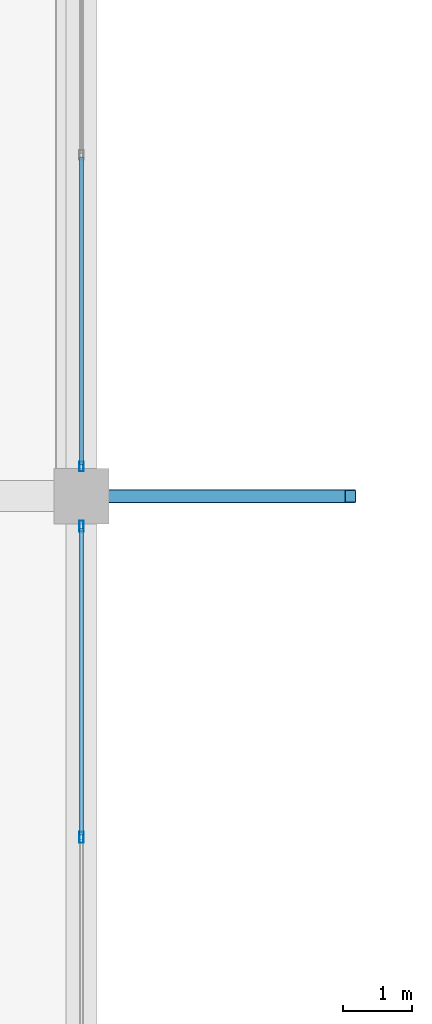
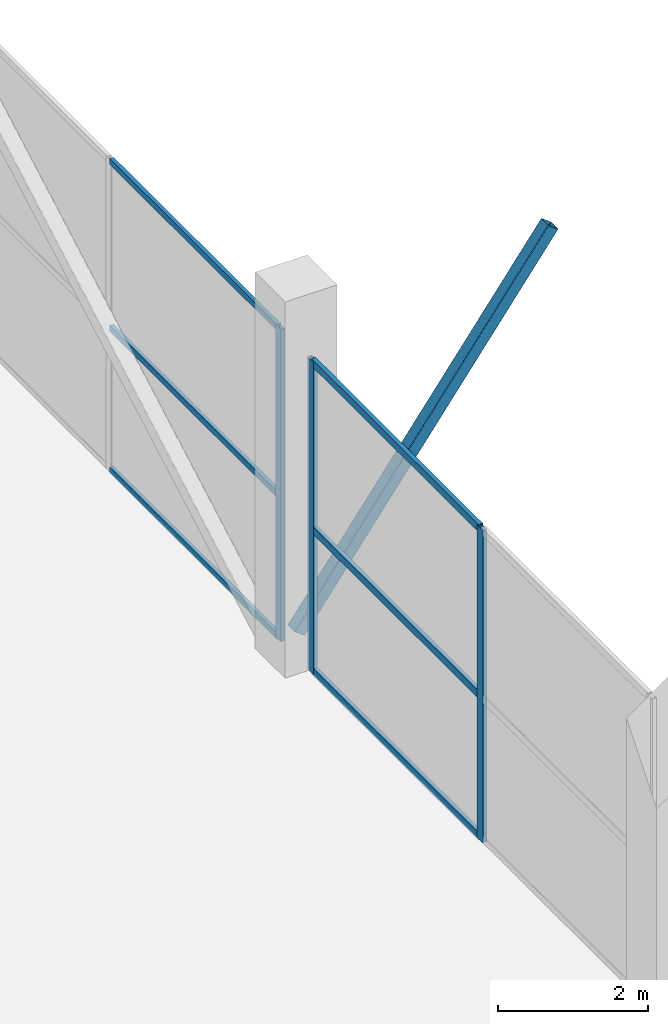
# One storey, part 21 of 46: 10 members, 2 elements without a shape of their own.
"""IFC4 building model written with IfcOpenShell, lengths in metres."""

from ifc_helpers import new_model, si_unit, direction, frame, origin, origin_2d, place, context, subcontext, project, spatial, hollow_rectangle, extrude, material, layer, layer_set, material_profile, profile_set, type_object, element, aggregate, save


model = new_model("IFC4")

# Units and contexts
model_context = context("Model", 3, precision=1e-05, world=origin(), true_north=direction((0.0, 1.0)))
body_context = subcontext(model_context, "Body", "Model", "MODEL_VIEW")
ifc_project = project(units=[si_unit("LENGTHUNIT", "METRE"), si_unit("AREAUNIT", "SQUARE_METRE"), si_unit("VOLUMEUNIT", "CUBIC_METRE"), si_unit("PLANEANGLEUNIT", "RADIAN"), si_unit("MASSUNIT", "GRAM", prefix="KILO")], contexts=[model_context])

# Site, building, storey
site_placement = place(None, origin())
site = spatial("IfcSite", under=ifc_project, at=site_placement, CompositionType="ELEMENT")
building_placement = place(site_placement, origin())
building = spatial("IfcBuilding", under=site, at=building_placement, Name="Sillaruma Civic Art Gallery", CompositionType="ELEMENT")
storey_placement = place(building_placement, frame((0.0, 0.0, 16.320068359375)))
storey = spatial("IfcBuildingStorey", under=building, at=storey_placement, Name="L03", CompositionType="ELEMENT", Elevation=16.320068359375)

# Curtain wall, member
ifc_material_1 = material(Name="Thermally Broken Extruded Aluminium 6063-T6", Category="aluminium")
ifc_layer_1 = layer(ifc_material_1, 0.139892578125, Name="Thermally Broken Extruded Aluminium 6063-T6")
ifc_layer_set_1 = layer_set([ifc_layer_1], Name="Thermally Broken Extruded Aluminium 6063-T6")
curtain_wall_type_1 = type_object("IfcCurtainWallType", Name="CW-UNI-19", PredefinedType="NOTDEFINED", material=ifc_layer_set_1)
curtain_wall_1_placement = place(storey_placement, origin())
curtain_wall_1 = element("IfcCurtainWall", 1, at=curtain_wall_1_placement, inside=storey, type_object=curtain_wall_type_1, Name="Unitised Curtain Wall CW-19 (CW-L03-E-6)", PredefinedType="NOTDEFINED")
ifc_material_profile_1 = material_profile(ifc_material_1, hollow_rectangle(XDim=0.06005859375, YDim=0.139892578125, WallThickness=0.00341796875, at=origin_2d()), Name="CWM60x140")
ifc_profile_set_1 = profile_set([ifc_material_profile_1], Name="Thermally Broken Extruded Aluminium 6063-T6")
member_type_1 = type_object("IfcMemberType", Name="MEM-MUL-CWM60x140", PredefinedType="MULLION", material=ifc_profile_set_1)
member_1_placement = place(storey_placement, frame((114.39990234375, 69.72998046875, 0.0), z_axis=(0.0, 0.0, 1.0), x_axis=(-1.0, 0.0, 0.0)))
member_1 = element("IfcMember", 2, at=member_1_placement, type_object=member_type_1, Name="CW-19 mullion 1", PredefinedType="MULLION", context=body_context, shape_type="SweptSolid", body=[
    extrude(hollow_rectangle(XDim=0.06005859375, YDim=0.139892578125, WallThickness=0.00341796875, at=origin_2d()), origin(), (0.0, 0.0, 1.0), 5.079833984375),
])

# Curtain wall, members
ifc_layer_2 = layer(ifc_material_1, 0.159912109375, Name="Thermally Broken Extruded Aluminium 6063-T6")
ifc_layer_set_2 = layer_set([ifc_layer_2], Name="Thermally Broken Extruded Aluminium 6063-T6")
curtain_wall_type_2 = type_object("IfcCurtainWallType", Name="CW-UNI-24", PredefinedType="NOTDEFINED", material=ifc_layer_set_2)
curtain_wall_2_placement = place(storey_placement, origin())
curtain_wall_2 = element("IfcCurtainWall", 3, at=curtain_wall_2_placement, inside=storey, type_object=curtain_wall_type_2, Name="Unitised Curtain Wall CW-24 (CW-L03-E-5)", PredefinedType="NOTDEFINED")
ifc_material_profile_2 = material_profile(ifc_material_1, hollow_rectangle(XDim=0.06494140625, YDim=0.159912109375, WallThickness=0.00390625, at=origin_2d()), Name="CWM65x160")
ifc_profile_set_2 = profile_set([ifc_material_profile_2], Name="Thermally Broken Extruded Aluminium 6063-T6")
member_type_2 = type_object("IfcMemberType", Name="MEM-MUL-CWM65x160", PredefinedType="MULLION", material=ifc_profile_set_2)
member_2_placement = place(storey_placement, frame((114.39990234375, 64.35009765625, 0.0), z_axis=(0.0, 0.0, 1.0), x_axis=(-1.0, 0.0, 0.0)))
member_2 = element("IfcMember", 4, at=member_2_placement, type_object=member_type_2, Name="CW-24 mullion 2", PredefinedType="MULLION", context=body_context, shape_type="SweptSolid", body=[
    extrude(hollow_rectangle(XDim=0.06494140625, YDim=0.159912109375, WallThickness=0.00390625, at=origin_2d()), origin(), (0.0, 0.0, 1.0), 5.079833984375),
])
member_3_placement = place(storey_placement, frame((114.39990234375, 68.867431640625, 0.0), z_axis=(0.0, 0.0, 1.0), x_axis=(-1.0, 0.0, 0.0)))
member_3 = element("IfcMember", 5, at=member_3_placement, type_object=member_type_2, Name="CW-24 mullion 3", PredefinedType="MULLION", context=body_context, shape_type="SweptSolid", body=[
    extrude(hollow_rectangle(XDim=0.06494140625, YDim=0.159912109375, WallThickness=0.00390625, at=origin_2d()), origin(), (0.0, 0.0, 1.0), 5.079833984375),
])

# Member
ifc_material_2 = material(Name="Structural Steel ASTM A500 Gr.C", Category="steel")
ifc_material_profile_3 = material_profile(ifc_material_2, hollow_rectangle(XDim=0.199951171875, YDim=0.199951171875, WallThickness=0.010009765625, InnerFilletRadius=0.010009765625, OuterFilletRadius=0.02001953125, at=origin_2d()), Name="HSS200x200x10")
ifc_profile_set_3 = profile_set([ifc_material_profile_3], Name="Structural Steel ASTM A500 Gr.C")
member_type_3 = type_object("IfcMemberType", Name="MEM-PROW-BRACE", PredefinedType="BRACE", material=ifc_profile_set_3)
member_4_placement = place(storey_placement, frame((114.39990234375, 69.300048828125, 0.39990234375), z_axis=(0.596731754129, 0.0, 0.802440785114), x_axis=(0.0, 1.0, 0.0)))
element("IfcMember", 6, at=member_4_placement, inside=storey, type_object=member_type_3, Name="Deconstructivist Prow Diagonal Brace (PRW-L04-E-FLR-N)", PredefinedType="BRACE", context=body_context, shape_type="SweptSolid", body=[
    extrude(hollow_rectangle(XDim=0.199951171875, YDim=0.199951171875, WallThickness=0.010009765625, InnerFilletRadius=0.010009765625, OuterFilletRadius=0.02001953125, at=origin_2d()), origin(), (0.0, 0.0, 1.0), 6.535888671875),
])

ifc_material_profile_4 = material_profile(ifc_material_1, hollow_rectangle(XDim=0.06005859375, YDim=0.10009765625, WallThickness=0.003173828125, at=origin_2d()), Name="CWT60x100")
ifc_profile_set_4 = profile_set([ifc_material_profile_4], Name="Thermally Broken Extruded Aluminium 6063-T6")
member_type_4 = type_object("IfcMemberType", Name="MEM-TRN-CWT60x100", PredefinedType="USERDEFINED", material=ifc_profile_set_4)
member_5_placement = place(storey_placement, frame((114.39990234375, 69.760009765625, 0.030029296875), z_axis=(0.0, 1.0, 0.0), x_axis=(-1.0, 0.0, 0.0)))
member_5 = element("IfcMember", 7, at=member_5_placement, type_object=member_type_4, Name="CW-19 transom 1.1", ObjectType="TRANSOM", PredefinedType="USERDEFINED", context=body_context, shape_type="SweptSolid", body=[
    extrude(hollow_rectangle(XDim=0.06005859375, YDim=0.10009765625, WallThickness=0.003173828125, at=origin_2d()), origin(), (0.0, 0.0, 1.0), 4.4599609375),
])

member_6_placement = place(storey_placement, frame((114.39990234375, 69.760009765625, 2.336669921875), z_axis=(0.0, 1.0, 0.0), x_axis=(-1.0, 0.0, 0.0)))
member_6 = element("IfcMember", 8, at=member_6_placement, type_object=member_type_4, Name="CW-19 transom 1.2", ObjectType="TRANSOM", PredefinedType="USERDEFINED", context=body_context, shape_type="SweptSolid", body=[
    extrude(hollow_rectangle(XDim=0.06005859375, YDim=0.10009765625, WallThickness=0.003173828125, at=origin_2d()), origin(), (0.0, 0.0, 1.0), 4.4599609375),
])

member_7_placement = place(storey_placement, frame((114.39990234375, 69.760009765625, 5.050048828125), z_axis=(0.0, 1.0, 0.0), x_axis=(-1.0, 0.0, 0.0)))
member_7 = element("IfcMember", 9, at=member_7_placement, type_object=member_type_4, Name="CW-19 transom 1.3", ObjectType="TRANSOM", PredefinedType="USERDEFINED", context=body_context, shape_type="SweptSolid", body=[
    extrude(hollow_rectangle(XDim=0.06005859375, YDim=0.10009765625, WallThickness=0.003173828125, at=origin_2d()), origin(), (0.0, 0.0, 1.0), 4.4599609375),
])

aggregate(curtain_wall_1, [member_1, member_5, member_6, member_7])

ifc_material_profile_5 = material_profile(ifc_material_1, hollow_rectangle(XDim=0.06494140625, YDim=0.1201171875, WallThickness=0.00341796875, at=origin_2d()), Name="CWT65x120")
ifc_profile_set_5 = profile_set([ifc_material_profile_5], Name="Thermally Broken Extruded Aluminium 6063-T6")
member_type_5 = type_object("IfcMemberType", Name="MEM-TRN-CWT65x120", PredefinedType="USERDEFINED", material=ifc_profile_set_5)
member_8_placement = place(storey_placement, frame((114.39990234375, 64.382568359375, 0.032470703125), z_axis=(0.0, 1.0, 0.0), x_axis=(-1.0, 0.0, 0.0)))
member_8 = element("IfcMember", 10, at=member_8_placement, type_object=member_type_5, Name="CW-24 transom 2.1", ObjectType="TRANSOM", PredefinedType="USERDEFINED", context=body_context, shape_type="SweptSolid", body=[
    extrude(hollow_rectangle(XDim=0.06494140625, YDim=0.1201171875, WallThickness=0.00341796875, at=origin_2d()), origin(), (0.0, 0.0, 1.0), 4.452392578125),
])

member_9_placement = place(storey_placement, frame((114.39990234375, 64.382568359375, 2.336669921875), z_axis=(0.0, 1.0, 0.0), x_axis=(-1.0, 0.0, 0.0)))
member_9 = element("IfcMember", 11, at=member_9_placement, type_object=member_type_5, Name="CW-24 transom 2.2", ObjectType="TRANSOM", PredefinedType="USERDEFINED", context=body_context, shape_type="SweptSolid", body=[
    extrude(hollow_rectangle(XDim=0.06494140625, YDim=0.1201171875, WallThickness=0.00341796875, at=origin_2d()), origin(), (0.0, 0.0, 1.0), 4.452392578125),
])

member_10_placement = place(storey_placement, frame((114.39990234375, 64.382568359375, 5.04736328125), z_axis=(0.0, 1.0, 0.0), x_axis=(-1.0, 0.0, 0.0)))
member_10 = element("IfcMember", 12, at=member_10_placement, type_object=member_type_5, Name="CW-24 transom 2.3", ObjectType="TRANSOM", PredefinedType="USERDEFINED", context=body_context, shape_type="SweptSolid", body=[
    extrude(hollow_rectangle(XDim=0.06494140625, YDim=0.1201171875, WallThickness=0.00341796875, at=origin_2d()), origin(), (0.0, 0.0, 1.0), 4.452392578125),
])

aggregate(curtain_wall_2, [member_2, member_3, member_8, member_9, member_10])

save(model, "model.ifc")
